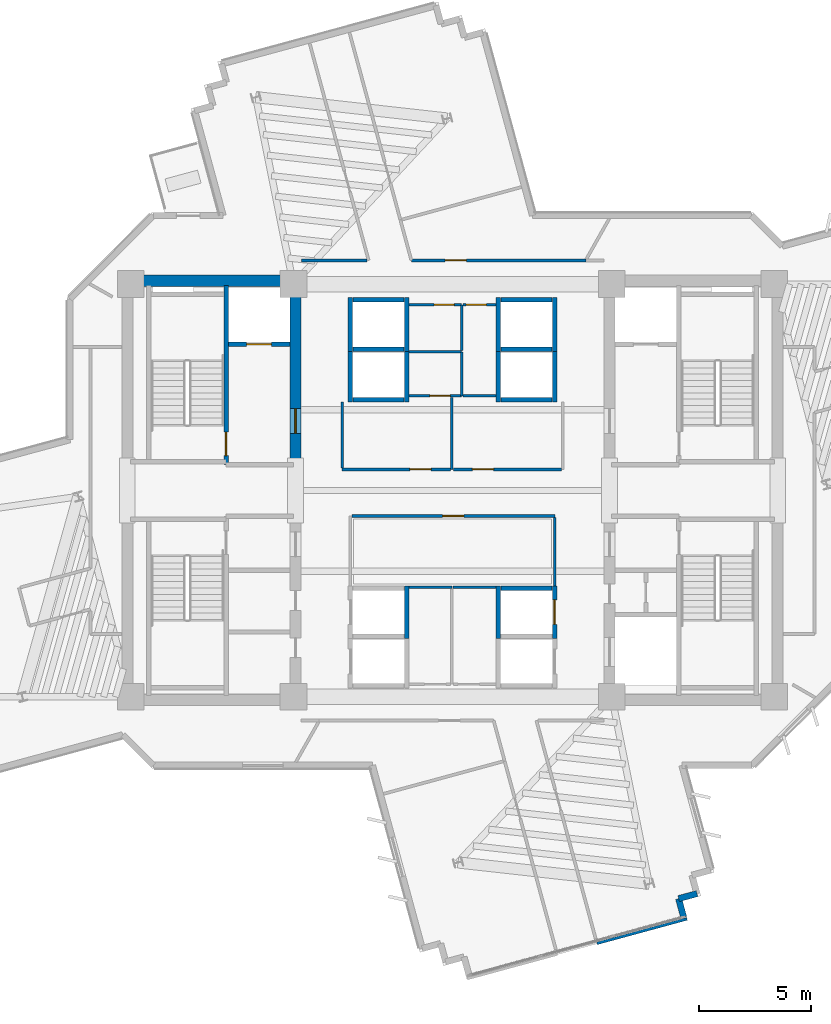
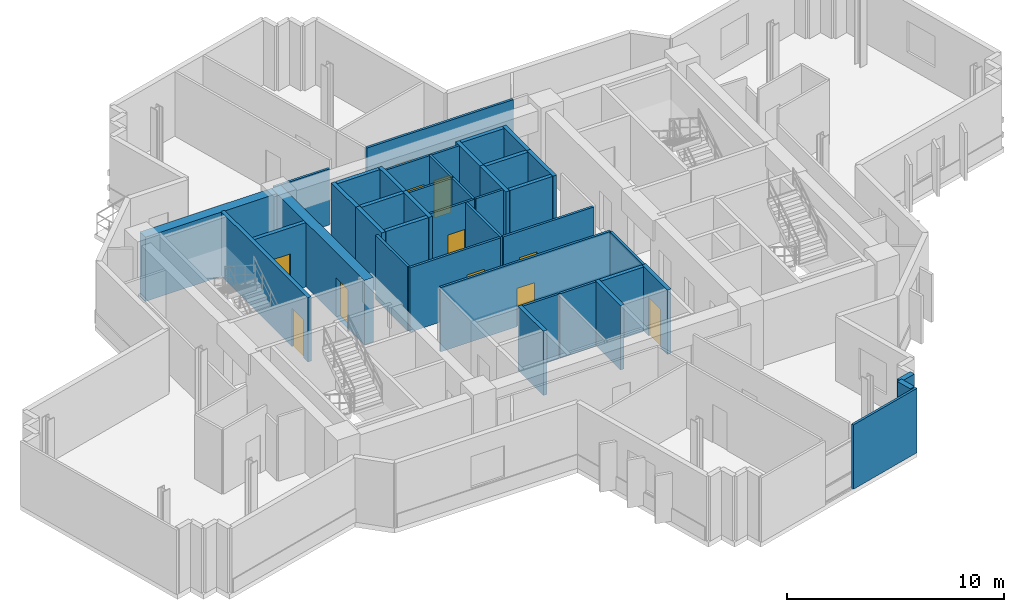
# One storey, part 9 of 15: 42 walls, 11 doors, 11 openings.
"""IFC4 building model written with IfcOpenShell, lengths in metres."""

from ifc_helpers import new_model, si_unit, direction, frame, frame_2d, origin, place, context, subcontext, project, spatial, rectangle, extrude, source, transform, mapped, material, layer, layer_set, type_object, element, fill, save


model = new_model("IFC4")

# Units and contexts
model_context = context("Model", 3, precision=1e-05, world=origin(), true_north=direction((0.0, 1.0)))
body_context = subcontext(model_context, "Body", "Model", "MODEL_VIEW")
ifc_project = project(units=[si_unit("LENGTHUNIT", "METRE"), si_unit("AREAUNIT", "SQUARE_METRE"), si_unit("VOLUMEUNIT", "CUBIC_METRE"), si_unit("PLANEANGLEUNIT", "RADIAN"), si_unit("MASSUNIT", "GRAM", prefix="KILO")], contexts=[model_context])

# Site, building, storey
site_placement = place(None, origin())
site = spatial("IfcSite", under=ifc_project, at=site_placement, CompositionType="ELEMENT")
building_placement = place(site_placement, origin())
building = spatial("IfcBuilding", under=site, at=building_placement, Name="Zahravan Cultural Tower", CompositionType="ELEMENT")
storey_placement = place(building_placement, frame((0.0, 0.0, 194.10009765625)))
storey = spatial("IfcBuildingStorey", under=building, at=storey_placement, Name="L45", CompositionType="ELEMENT", Elevation=194.10009765625)

# Wall, opening, door
ifc_material_1 = material(Name="Concrete C60/75", Category="concrete")
ifc_layer_1 = layer(ifc_material_1, 0.5)
ifc_layer_set_1 = layer_set([ifc_layer_1], Name="Concrete C60/75")
wall_type_1 = type_object("IfcWallType", Name="CW-SHEAR-500-C60", PredefinedType="SHEAR", material=ifc_layer_set_1)
wall_1_placement = place(storey_placement, frame((29.0, 28.050048828125, 0.0), z_axis=(0.0, 0.0, 1.0), x_axis=(0.0, 1.0, 0.0)))
wall_1 = element("IfcWall", 1, at=wall_1_placement, inside=storey, type_object=wall_type_1, Name="L45 Core Shear Wall CW-W-EN-L45", PredefinedType="SHEAR", context=body_context, shape_type="SweptSolid", body=[
    extrude(rectangle(XDim=8.550048828125, YDim=0.5, at=frame_2d((4.27490234375, 0.0))), origin(), (0.0, 0.0, 1.0), 3.619873046875),
])
opening_1_placement = place(wall_1_placement, frame((1.5, 0.0, 0.0)))
opening_1 = element("IfcOpeningElement", 2, at=opening_1_placement, cuts=wall_1, Name="Opening D-L45-05", PredefinedType="OPENING", context=body_context, shape_type="SweptSolid", body=[
    extrude(rectangle(XDim=1.10009765625, YDim=2.199951171875, at=frame_2d((0.550048828125, 1.10009765625))), frame((0.0, 0.260009765625, 0.0), z_axis=(0.0, -1.0, 0.0), x_axis=(1.0, 0.0, 0.0)), (0.0, 0.0, 1.0), 0.52001953125),
])
ifc_material_2 = material(Name="Steel ASTM A572 Grade 50", Category="steel")
door_type_1 = type_object("IfcDoorType", Name="DR-LOBBY-1100", OperationType="NOTDEFINED", PredefinedType="DOOR", material=ifc_material_2)
shared_shape_1 = source(origin(), body_context, "Body", "SweptSolid", [
    extrude(rectangle(XDim=1.10009765625, YDim=2.199951171875, at=frame_2d((0.550048828125, 1.10009765625))), frame((0.0, 0.02490234375, 0.0), z_axis=(0.0, -1.0, 0.0), x_axis=(1.0, 0.0, 0.0)), (0.0, 0.0, 1.0), 0.050048828125),
])
door_1_placement = place(opening_1_placement, origin())
door_1 = element("IfcDoor", 3, at=door_1_placement, inside=storey, type_object=door_type_1, Name="L45 Door D-L45-05", OperationType="SINGLE_SWING_LEFT", OverallHeight=2.199951171875, OverallWidth=1.10009765625, PredefinedType="DOOR", context=body_context, shape_type="MappedRepresentation", body=[
    mapped(shared_shape_1, transform((0.0, 0.0, 0.0), x_axis=(1.0, 0.0, 0.0), y_axis=(0.0, 1.0, 0.0), z_axis=(0.0, 0.0, 1.0), scale=1.0)),
])
fill(opening_1, door_1)

ifc_material_3 = material(Name="Gypsum plasterboard partition")
ifc_layer_2 = layer(ifc_material_3, 0.125)
ifc_layer_set_2 = layer_set([ifc_layer_2], Name="Gypsum plasterboard partition")
wall_type_2 = type_object("IfcWallType", Name="W-PART-125", PredefinedType="PARTITIONING", material=ifc_layer_set_2)
wall_2_placement = place(storey_placement, frame((35.902587890625, 27.93994140625, 0.0), z_axis=(0.0, 0.0, 1.0), x_axis=(-1.0, 0.0, 0.0)))
wall_2 = element("IfcWall", 4, at=wall_2_placement, inside=storey, type_object=wall_type_2, Name="L45 Interior Wall 069", PredefinedType="PARTITIONING", context=body_context, shape_type="SweptSolid", body=[
    extrude(rectangle(XDim=4.822509765625, YDim=0.125, at=frame_2d((2.4111328125, 0.0))), origin(), (0.0, 0.0, 1.0), 3.619873046875),
])
opening_2_placement = place(wall_2_placement, frame((0.85205078125, 0.0, 0.0)))
opening_2 = element("IfcOpeningElement", 5, at=opening_2_placement, cuts=wall_2, Name="Opening D-L45-16", PredefinedType="OPENING", context=body_context, shape_type="SweptSolid", body=[
    extrude(rectangle(XDim=0.949951171875, YDim=2.14990234375, at=frame_2d((0.47509765625, 1.074951171875))), frame((0.0, 0.072509765625, 0.0), z_axis=(0.0, -1.0, 0.0), x_axis=(1.0, 0.0, 0.0)), (0.0, 0.0, 1.0), 0.14501953125),
])
ifc_material_4 = material(Name="Anodised bronze-aluminium mullion", Category="aluminium")
door_type_2 = type_object("IfcDoorType", Name="DR-ROOM-950", OperationType="NOTDEFINED", PredefinedType="DOOR", material=ifc_material_4)
shared_shape_2 = source(origin(), body_context, "Body", "SweptSolid", [
    extrude(rectangle(XDim=0.949951171875, YDim=2.14990234375, at=frame_2d((0.47509765625, 1.074951171875))), frame((0.0, 0.02490234375, 0.0), z_axis=(0.0, -1.0, 0.0), x_axis=(1.0, 0.0, 0.0)), (0.0, 0.0, 1.0), 0.050048828125),
])
door_2_placement = place(opening_2_placement, origin())
door_2 = element("IfcDoor", 6, at=door_2_placement, inside=storey, type_object=door_type_2, Name="L45 Door D-L45-16", OperationType="SINGLE_SWING_RIGHT", OverallHeight=2.14990234375, OverallWidth=0.949951171875, PredefinedType="DOOR", context=body_context, shape_type="MappedRepresentation", body=[
    mapped(shared_shape_2, transform((0.0, 0.0, 0.0), x_axis=(1.0, 0.0, 0.0), y_axis=(0.0, 1.0, 0.0), z_axis=(0.0, 0.0, 1.0), scale=1.0)),
])
fill(opening_2, door_2)

wall_3_placement = place(storey_placement, frame((40.8525390625, 27.93994140625, 0.0), z_axis=(0.0, 0.0, 1.0), x_axis=(-1.0, 0.0, 0.0)))
wall_3 = element("IfcWall", 7, at=wall_3_placement, inside=storey, type_object=wall_type_2, Name="L45 Interior Wall 072", PredefinedType="PARTITIONING", context=body_context, shape_type="SweptSolid", body=[
    extrude(rectangle(XDim=4.81494140625, YDim=0.125, at=frame_2d((2.407470703125, 0.0))), origin(), (0.0, 0.0, 1.0), 3.619873046875),
])
opening_3_placement = place(wall_3_placement, frame((3.0146484375, 0.0, 0.0)))
opening_3 = element("IfcOpeningElement", 8, at=opening_3_placement, cuts=wall_3, Name="Opening D-L45-17", PredefinedType="OPENING", context=body_context, shape_type="SweptSolid", body=[
    extrude(rectangle(XDim=0.949951171875, YDim=2.14990234375, at=frame_2d((0.47509765625, 1.074951171875))), frame((0.0, 0.072509765625, 0.0), z_axis=(0.0, -1.0, 0.0), x_axis=(1.0, 0.0, 0.0)), (0.0, 0.0, 1.0), 0.14501953125),
])
door_3_placement = place(opening_3_placement, origin())
door_3 = element("IfcDoor", 9, at=door_3_placement, inside=storey, type_object=door_type_2, Name="L45 Door D-L45-17", OperationType="SINGLE_SWING_LEFT", OverallHeight=2.14990234375, OverallWidth=0.949951171875, PredefinedType="DOOR", context=body_context, shape_type="MappedRepresentation", body=[
    mapped(shared_shape_2, transform((0.0, 0.0, 0.0), x_axis=(1.0, 0.0, 0.0), y_axis=(0.0, 1.0, 0.0), z_axis=(0.0, 0.0, 1.0), scale=1.0)),
])
fill(opening_3, door_3)

wall_4_placement = place(storey_placement, frame((41.955322265625, 37.260009765625, 0.0), z_axis=(0.0, 0.0, 1.0), x_axis=(-1.0, 0.0, 0.0)))
wall_4 = element("IfcWall", 10, at=wall_4_placement, inside=storey, type_object=wall_type_2, Name="L45 Interior Wall 073", PredefinedType="PARTITIONING", context=body_context, shape_type="SweptSolid", body=[
    extrude(rectangle(XDim=7.78955078125, YDim=0.125, at=frame_2d((3.894775390625, 0.0))), origin(), (0.0, 0.0, 1.0), 3.619873046875),
])
opening_4_placement = place(wall_4_placement, frame((5.3349609375, 0.0, 0.0)))
opening_4 = element("IfcOpeningElement", 11, at=opening_4_placement, cuts=wall_4, Name="Opening D-L45-21", PredefinedType="OPENING", context=body_context, shape_type="SweptSolid", body=[
    extrude(rectangle(XDim=0.949951171875, YDim=2.14990234375, at=frame_2d((0.47509765625, 1.074951171875))), frame((0.0, 0.072509765625, 0.0), z_axis=(0.0, -1.0, 0.0), x_axis=(1.0, 0.0, 0.0)), (0.0, 0.0, 1.0), 0.14501953125),
])
door_4_placement = place(opening_4_placement, origin())
door_4 = element("IfcDoor", 12, at=door_4_placement, inside=storey, type_object=door_type_2, Name="L45 Door D-L45-21", OperationType="SINGLE_SWING_LEFT", OverallHeight=2.14990234375, OverallWidth=0.949951171875, PredefinedType="DOOR", context=body_context, shape_type="MappedRepresentation", body=[
    mapped(shared_shape_2, transform((0.0, 0.0, 0.0), x_axis=(1.0, 0.0, 0.0), y_axis=(0.0, 1.0, 0.0), z_axis=(0.0, 0.0, 1.0), scale=1.0)),
])
fill(opening_4, door_4)

wall_5_placement = place(storey_placement, frame((31.507568359375, 25.860107421875, 0.0), z_axis=(0.0, 0.0, 1.0), x_axis=(1.0, 0.0, 0.0)))
wall_5 = element("IfcWall", 13, at=wall_5_placement, inside=storey, type_object=wall_type_2, Name="L45 Interior Wall 082", PredefinedType="PARTITIONING", context=body_context, shape_type="SweptSolid", body=[
    extrude(rectangle(XDim=9.052490234375, YDim=0.125, at=frame_2d((4.5263671875, 0.0))), origin(), (0.0, 0.0, 1.0), 3.619873046875),
])
opening_5_placement = place(wall_5_placement, frame((4.05126953125, 0.0, 0.0)))
opening_5 = element("IfcOpeningElement", 14, at=opening_5_placement, cuts=wall_5, Name="Opening D-L45-13", PredefinedType="OPENING", context=body_context, shape_type="SweptSolid", body=[
    extrude(rectangle(XDim=0.949951171875, YDim=2.14990234375, at=frame_2d((0.47509765625, 1.074951171875))), frame((0.0, 0.072509765625, 0.0), z_axis=(0.0, -1.0, 0.0), x_axis=(1.0, 0.0, 0.0)), (0.0, 0.0, 1.0), 0.14501953125),
])
door_5_placement = place(opening_5_placement, origin())
door_5 = element("IfcDoor", 15, at=door_5_placement, inside=storey, type_object=door_type_2, Name="L45 Door D-L45-13", OperationType="SINGLE_SWING_LEFT", OverallHeight=2.14990234375, OverallWidth=0.949951171875, PredefinedType="DOOR", context=body_context, shape_type="MappedRepresentation", body=[
    mapped(shared_shape_2, transform((0.0, 0.0, 0.0), x_axis=(1.0, 0.0, 0.0), y_axis=(0.0, 1.0, 0.0), z_axis=(0.0, 0.0, 1.0), scale=1.0)),
])
fill(opening_5, door_5)

ifc_material_5 = material(Name="Concrete C45/55", Category="concrete")
ifc_layer_3 = layer(ifc_material_5, 0.199951171875)
ifc_layer_set_3 = layer_set([ifc_layer_3], Name="Concrete C45/55")
wall_type_3 = type_object("IfcWallType", Name="W-SHAFT-200", PredefinedType="SOLIDWALL", material=ifc_layer_set_3)
wall_6_placement = place(storey_placement, frame((25.89990234375, 28.14990234375, 0.0), z_axis=(0.0, 0.0, 1.0), x_axis=(0.0, 1.0, 0.0)))
wall_6 = element("IfcWall", 16, at=wall_6_placement, inside=storey, type_object=wall_type_3, Name="L45 Interior Wall 006", PredefinedType="SOLIDWALL", context=body_context, shape_type="SweptSolid", body=[
    extrude(rectangle(XDim=8.0, YDim=0.199951171875, at=frame_2d((4.0, 0.0))), origin(), (0.0, 0.0, 1.0), 3.619873046875),
])
opening_6_placement = place(wall_6_placement, frame((0.39990234375, 0.0, 0.0)))
opening_6 = element("IfcOpeningElement", 17, at=opening_6_placement, cuts=wall_6, Name="Opening D-L45-01", PredefinedType="OPENING", context=body_context, shape_type="SweptSolid", body=[
    extrude(rectangle(XDim=1.050048828125, YDim=2.14990234375, at=frame_2d((0.52490234375, 1.074951171875))), frame((0.0, 0.10986328125, 0.0), z_axis=(0.0, -1.0, 0.0), x_axis=(1.0, 0.0, 0.0)), (0.0, 0.0, 1.0), 0.219970703125),
])
door_type_3 = type_object("IfcDoorType", Name="DR-STAIR-1050", OperationType="NOTDEFINED", PredefinedType="DOOR", material=ifc_material_2)
shared_shape_3 = source(origin(), body_context, "Body", "SweptSolid", [
    extrude(rectangle(XDim=1.050048828125, YDim=2.14990234375, at=frame_2d((0.52490234375, 1.074951171875))), frame((0.0, 0.02490234375, 0.0), z_axis=(0.0, -1.0, 0.0), x_axis=(1.0, 0.0, 0.0)), (0.0, 0.0, 1.0), 0.050048828125),
])
door_6_placement = place(opening_6_placement, origin())
door_6 = element("IfcDoor", 18, at=door_6_placement, inside=storey, type_object=door_type_3, Name="L45 Door D-L45-01", OperationType="SINGLE_SWING_LEFT", OverallHeight=2.14990234375, OverallWidth=1.050048828125, PredefinedType="DOOR", context=body_context, shape_type="MappedRepresentation", body=[
    mapped(shared_shape_3, transform((0.0, 0.0, 0.0), x_axis=(1.0, 0.0, 0.0), y_axis=(0.0, 1.0, 0.0), z_axis=(0.0, 0.0, 1.0), scale=1.0)),
])
fill(opening_6, door_6)

wall_7_placement = place(storey_placement, frame((26.0, 33.52001953125, 0.0), z_axis=(0.0, 0.0, 1.0), x_axis=(1.0, 0.0, 0.0)))
wall_7 = element("IfcWall", 19, at=wall_7_placement, inside=storey, type_object=wall_type_3, Name="L45 Interior Wall 021", PredefinedType="SOLIDWALL", context=body_context, shape_type="SweptSolid", body=[
    extrude(rectangle(XDim=2.75, YDim=0.199951171875, at=frame_2d((1.375, 0.0))), origin(), (0.0, 0.0, 1.0), 3.619873046875),
])
opening_7_placement = place(wall_7_placement, frame((0.820068359375, 0.0, 0.0)))
opening_7 = element("IfcOpeningElement", 20, at=opening_7_placement, cuts=wall_7, Name="Opening LD-L45-01", PredefinedType="OPENING", context=body_context, shape_type="SweptSolid", body=[
    extrude(rectangle(XDim=1.10009765625, YDim=2.14990234375, at=frame_2d((0.550048828125, 1.074951171875))), frame((0.0, 0.10986328125, 0.0), z_axis=(0.0, -1.0, 0.0), x_axis=(1.0, 0.0, 0.0)), (0.0, 0.0, 1.0), 0.219970703125),
])
door_type_4 = type_object("IfcDoorType", Name="DR-LIFT-1100", OperationType="DOUBLE_DOOR_SLIDING", PredefinedType="DOOR", material=ifc_material_2)
shared_shape_4 = source(origin(), body_context, "Body", "SweptSolid", [
    extrude(rectangle(XDim=1.10009765625, YDim=2.14990234375, at=frame_2d((0.550048828125, 1.074951171875))), frame((0.0, 0.02490234375, 0.0), z_axis=(0.0, -1.0, 0.0), x_axis=(1.0, 0.0, 0.0)), (0.0, 0.0, 1.0), 0.050048828125),
])
door_7_placement = place(opening_7_placement, origin())
door_7 = element("IfcDoor", 21, at=door_7_placement, inside=storey, type_object=door_type_4, Name="L45 Door LD-L45-01", OperationType="DOUBLE_DOOR_SLIDING", OverallHeight=2.14990234375, OverallWidth=1.10009765625, PredefinedType="DOOR", context=body_context, shape_type="MappedRepresentation", body=[
    mapped(shared_shape_4, transform((0.0, 0.0, 0.0), x_axis=(1.0, 0.0, 0.0), y_axis=(0.0, 1.0, 0.0), z_axis=(0.0, 0.0, 1.0), scale=1.0)),
])
fill(opening_7, door_7)

wall_8_placement = place(storey_placement, frame((40.550048828125, 20.39990234375, 0.0), z_axis=(0.0, 0.0, 1.0), x_axis=(0.0, 1.0, 0.0)))
wall_8 = element("IfcWall", 22, at=wall_8_placement, inside=storey, type_object=wall_type_3, Name="L45 Interior Wall 050", PredefinedType="SOLIDWALL", context=body_context, shape_type="SweptSolid", body=[
    extrude(rectangle(XDim=2.35009765625, YDim=0.199951171875, at=frame_2d((1.175048828125, 0.0))), origin(), (0.0, 0.0, 1.0), 3.619873046875),
])
opening_8_placement = place(wall_8_placement, frame((0.625, 0.0, 0.0)))
opening_8 = element("IfcOpeningElement", 23, at=opening_8_placement, cuts=wall_8, Name="Opening LD-L45-06", PredefinedType="OPENING", context=body_context, shape_type="SweptSolid", body=[
    extrude(rectangle(XDim=1.10009765625, YDim=2.14990234375, at=frame_2d((0.550048828125, 1.074951171875))), frame((0.0, 0.10986328125, 0.0), z_axis=(0.0, -1.0, 0.0), x_axis=(1.0, 0.0, 0.0)), (0.0, 0.0, 1.0), 0.219970703125),
])
door_8_placement = place(opening_8_placement, origin())
door_8 = element("IfcDoor", 24, at=door_8_placement, inside=storey, type_object=door_type_4, Name="L45 Door LD-L45-06", OperationType="DOUBLE_DOOR_SLIDING", OverallHeight=2.14990234375, OverallWidth=1.10009765625, PredefinedType="DOOR", context=body_context, shape_type="MappedRepresentation", body=[
    mapped(shared_shape_4, transform((0.0, 0.0, 0.0), x_axis=(1.0, 0.0, 0.0), y_axis=(0.0, 1.0, 0.0), z_axis=(0.0, 0.0, 1.0), scale=1.0)),
])
fill(opening_8, door_8)

ifc_layer_4 = layer(ifc_material_3, 0.114990234375)
ifc_layer_set_4 = layer_set([ifc_layer_4], Name="Gypsum plasterboard partition")
wall_type_4 = type_object("IfcWallType", Name="W-WC-115", PredefinedType="PARTITIONING", material=ifc_layer_set_4)
wall_9_placement = place(storey_placement, frame((36.409912109375, 31.219970703125, 0.0), z_axis=(0.0, 0.0, 1.0), x_axis=(-1.0, 0.0, 0.0)))
wall_9 = element("IfcWall", 25, at=wall_9_placement, inside=storey, type_object=wall_type_4, Name="L45 Interior Wall 056", PredefinedType="PARTITIONING", context=body_context, shape_type="SweptSolid", body=[
    extrude(rectangle(XDim=2.35498046875, YDim=0.114990234375, at=frame_2d((1.177490234375, 0.0))), origin(), (0.0, 0.0, 1.0), 3.619873046875),
])
opening_9_placement = place(wall_9_placement, frame((0.5166015625, 0.0, 0.0)))
opening_9 = element("IfcOpeningElement", 26, at=opening_9_placement, cuts=wall_9, Name="Opening D-L45-28", PredefinedType="OPENING", context=body_context, shape_type="SweptSolid", body=[
    extrude(rectangle(XDim=0.89990234375, YDim=2.10009765625, at=frame_2d((0.449951171875, 1.050048828125))), frame((0.0, 0.0673828125, 0.0), z_axis=(0.0, -1.0, 0.0), x_axis=(1.0, 0.0, 0.0)), (0.0, 0.0, 1.0), 0.135009765625),
])
door_type_5 = type_object("IfcDoorType", Name="DR-WC-900", OperationType="NOTDEFINED", PredefinedType="DOOR", material=ifc_material_4)
shared_shape_5 = source(origin(), body_context, "Body", "SweptSolid", [
    extrude(rectangle(XDim=0.89990234375, YDim=2.10009765625, at=frame_2d((0.449951171875, 1.050048828125))), frame((0.0, 0.02490234375, 0.0), z_axis=(0.0, -1.0, 0.0), x_axis=(1.0, 0.0, 0.0)), (0.0, 0.0, 1.0), 0.050048828125),
])
door_9_placement = place(opening_9_placement, origin())
door_9 = element("IfcDoor", 27, at=door_9_placement, inside=storey, type_object=door_type_5, Name="L45 Door D-L45-28", OperationType="SINGLE_SWING_RIGHT", OverallHeight=2.10009765625, OverallWidth=0.89990234375, PredefinedType="DOOR", context=body_context, shape_type="MappedRepresentation", body=[
    mapped(shared_shape_5, transform((0.0, 0.0, 0.0), x_axis=(1.0, 0.0, 0.0), y_axis=(0.0, 1.0, 0.0), z_axis=(0.0, 0.0, 1.0), scale=1.0)),
])
fill(opening_9, door_9)

wall_10_placement = place(storey_placement, frame((34.054931640625, 35.280029296875, 0.0), z_axis=(0.0, 0.0, 1.0), x_axis=(1.0, 0.0, 0.0)))
wall_10 = element("IfcWall", 28, at=wall_10_placement, inside=storey, type_object=wall_type_4, Name="L45 Interior Wall 059", PredefinedType="PARTITIONING", context=body_context, shape_type="SweptSolid", body=[
    extrude(rectangle(XDim=2.35498046875, YDim=0.114990234375, at=frame_2d((1.177490234375, 0.0))), origin(), (0.0, 0.0, 1.0), 3.619873046875),
])
opening_10_placement = place(wall_10_placement, frame((1.120849609375, 0.0, 0.0)))
opening_10 = element("IfcOpeningElement", 29, at=opening_10_placement, cuts=wall_10, Name="Opening D-L45-14", PredefinedType="OPENING", context=body_context, shape_type="SweptSolid", body=[
    extrude(rectangle(XDim=0.89990234375, YDim=2.10009765625, at=frame_2d((0.449951171875, 1.050048828125))), frame((0.0, 0.0673828125, 0.0), z_axis=(0.0, -1.0, 0.0), x_axis=(1.0, 0.0, 0.0)), (0.0, 0.0, 1.0), 0.135009765625),
])
door_10_placement = place(opening_10_placement, origin())
door_10 = element("IfcDoor", 30, at=door_10_placement, inside=storey, type_object=door_type_5, Name="L45 Door D-L45-14", OperationType="SINGLE_SWING_RIGHT", OverallHeight=2.10009765625, OverallWidth=0.89990234375, PredefinedType="DOOR", context=body_context, shape_type="MappedRepresentation", body=[
    mapped(shared_shape_5, transform((0.0, 0.0, 0.0), x_axis=(1.0, 0.0, 0.0), y_axis=(0.0, 1.0, 0.0), z_axis=(0.0, 0.0, 1.0), scale=1.0)),
])
fill(opening_10, door_10)

wall_11_placement = place(storey_placement, frame((36.472412109375, 35.280029296875, 0.0), z_axis=(0.0, 0.0, 1.0), x_axis=(1.0, 0.0, 0.0)))
wall_11 = element("IfcWall", 31, at=wall_11_placement, inside=storey, type_object=wall_type_4, Name="L45 Interior Wall 062", PredefinedType="PARTITIONING", context=body_context, shape_type="SweptSolid", body=[
    extrude(rectangle(XDim=1.47265625, YDim=0.114990234375, at=frame_2d((0.736328125, 0.0))), origin(), (0.0, 0.0, 1.0), 3.619873046875),
])
opening_11_placement = place(wall_11_placement, frame((0.139892578125, 0.0, 0.0)))
opening_11 = element("IfcOpeningElement", 32, at=opening_11_placement, cuts=wall_11, Name="Opening D-L45-15", PredefinedType="OPENING", context=body_context, shape_type="SweptSolid", body=[
    extrude(rectangle(XDim=0.89990234375, YDim=2.10009765625, at=frame_2d((0.449951171875, 1.050048828125))), frame((0.0, 0.0673828125, 0.0), z_axis=(0.0, -1.0, 0.0), x_axis=(1.0, 0.0, 0.0)), (0.0, 0.0, 1.0), 0.135009765625),
])
door_11_placement = place(opening_11_placement, origin())
door_11 = element("IfcDoor", 33, at=door_11_placement, inside=storey, type_object=door_type_5, Name="L45 Door D-L45-15", OperationType="SINGLE_SWING_LEFT", OverallHeight=2.10009765625, OverallWidth=0.89990234375, PredefinedType="DOOR", context=body_context, shape_type="MappedRepresentation", body=[
    mapped(shared_shape_5, transform((0.0, 0.0, 0.0), x_axis=(1.0, 0.0, 0.0), y_axis=(0.0, 1.0, 0.0), z_axis=(0.0, 0.0, 1.0), scale=1.0)),
])
fill(opening_11, door_11)

# Walls
shared_shape_6 = source(origin(), body_context, "Body", "SweptSolid", [
    extrude(rectangle(XDim=7.0, YDim=0.5, at=frame_2d((3.5, 0.0))), origin(), (0.0, 0.0, 1.0), 3.619873046875),
])
wall_12_placement = place(storey_placement, frame((21.75, 36.35009765625, 0.0), z_axis=(0.0, 0.0, 1.0), x_axis=(1.0, 0.0, 0.0)))
element("IfcWall", 34, at=wall_12_placement, inside=storey, type_object=wall_type_1, Name="L45 Core Shear Wall CW-W-N-L45", PredefinedType="SHEAR", context=body_context, shape_type="MappedRepresentation", body=[
    mapped(shared_shape_6, transform((0.0, 0.0, 0.0), x_axis=(1.0, 0.0, 0.0), y_axis=(0.0, 1.0, 0.0), z_axis=(0.0, 0.0, 1.0), scale=1.0)),
])
ifc_material_6 = material(Name="Precast concrete C40/50", Category="concrete")
ifc_layer_5 = layer(ifc_material_6, 0.280029296875)
ifc_layer_set_5 = layer_set([ifc_layer_5], Name="Precast concrete C40/50")
wall_type_5 = type_object("IfcWallType", Name="EW-TC-280", PredefinedType="SOLIDWALL", material=ifc_layer_set_5)
shared_shape_7 = source(origin(), body_context, "Body", "SweptSolid", [
    extrude(rectangle(XDim=0.85009765625, YDim=0.280029296875, at=frame_2d((0.425048828125, 0.0))), origin(), (0.0, 0.0, 1.0), 3.619873046875),
])
for number, where, z_axis, x_axis, name in (
    (35, (46.905517578125, 9.020263671875, 0.0), (0.0, 0.0, 1.0), (-0.965081274591, -0.261950631675, 0.0), "L45 Exterior Masonry Frame Wall 18"),
    (36, (46.085205078125, 8.797607421875, 0.0), (0.0, 0.0, 1.0), (0.262218119094, -0.965008631059, 0.0), "L45 Exterior Masonry Frame Wall 19"),
):
    element("IfcWall", number, at=place(storey_placement, frame(where, z_axis=z_axis, x_axis=x_axis)), inside=storey, type_object=wall_type_5, Name=name, PredefinedType="SOLIDWALL", context=body_context, shape_type="MappedRepresentation", body=[
        mapped(shared_shape_7, transform((0.0, 0.0, 0.0), x_axis=(1.0, 0.0, 0.0), y_axis=(0.0, 1.0, 0.0), z_axis=(0.0, 0.0, 1.0), scale=1.0)),
    ])
shared_shape_8 = source(origin(), body_context, "Body", "SweptSolid", [
    extrude(rectangle(XDim=2.400146484375, YDim=0.199951171875, at=frame_2d((1.2001953125, 0.0))), origin(), (0.0, 0.0, 1.0), 3.619873046875),
])
for number, where, z_axis, x_axis, name in (
    (37, (31.449951171875, 33.199951171875, 0.0), (0.0, 0.0, 1.0), (0.0, 1.0, 0.0), "L45 Interior Wall 028"),
    (38, (33.949951171875, 33.199951171875, 0.0), (0.0, 0.0, 1.0), (0.0, 1.0, 0.0), "L45 Interior Wall 029"),
    (39, (31.449951171875, 30.949951171875, 0.0), (0.0, 0.0, 1.0), (0.0, 1.0, 0.0), "L45 Interior Wall 032"),
    (40, (33.949951171875, 30.949951171875, 0.0), (0.0, 0.0, 1.0), (0.0, 1.0, 0.0), "L45 Interior Wall 033"),
    (41, (38.050048828125, 33.199951171875, 0.0), (0.0, 0.0, 1.0), (0.0, 1.0, 0.0), "L45 Interior Wall 035"),
    (42, (40.550048828125, 33.199951171875, 0.0), (0.0, 0.0, 1.0), (0.0, 1.0, 0.0), "L45 Interior Wall 036"),
    (43, (38.050048828125, 30.949951171875, 0.0), (0.0, 0.0, 1.0), (0.0, 1.0, 0.0), "L45 Interior Wall 039"),
    (44, (40.550048828125, 30.949951171875, 0.0), (0.0, 0.0, 1.0), (0.0, 1.0, 0.0), "L45 Interior Wall 040"),
):
    element("IfcWall", number, at=place(storey_placement, frame(where, z_axis=z_axis, x_axis=x_axis)), inside=storey, type_object=wall_type_3, Name=name, PredefinedType="SOLIDWALL", context=body_context, shape_type="MappedRepresentation", body=[
        mapped(shared_shape_8, transform((0.0, 0.0, 0.0), x_axis=(1.0, 0.0, 0.0), y_axis=(0.0, 1.0, 0.0), z_axis=(0.0, 0.0, 1.0), scale=1.0)),
    ])
shared_shape_9 = source(origin(), body_context, "Body", "SweptSolid", [
    extrude(rectangle(XDim=2.260009765625, YDim=0.199951171875, at=frame_2d((1.1298828125, 0.0))), origin(), (0.0, 0.0, 1.0), 3.619873046875),
])
for number, where, z_axis, x_axis, name in (
    (45, (31.570068359375, 33.300048828125, 0.0), (0.0, 0.0, 1.0), (1.0, 0.0, 0.0), "L45 Interior Wall 030"),
    (46, (31.570068359375, 35.5, 0.0), (0.0, 0.0, 1.0), (1.0, 0.0, 0.0), "L45 Interior Wall 031"),
    (47, (31.570068359375, 31.050048828125, 0.0), (0.0, 0.0, 1.0), (1.0, 0.0, 0.0), "L45 Interior Wall 034"),
    (48, (38.169921875, 33.300048828125, 0.0), (0.0, 0.0, 1.0), (1.0, 0.0, 0.0), "L45 Interior Wall 037"),
    (49, (38.169921875, 35.5, 0.0), (0.0, 0.0, 1.0), (1.0, 0.0, 0.0), "L45 Interior Wall 038"),
    (50, (38.169921875, 31.050048828125, 0.0), (0.0, 0.0, 1.0), (1.0, 0.0, 0.0), "L45 Interior Wall 041"),
    (51, (38.169921875, 22.64990234375, 0.0), (0.0, 0.0, 1.0), (1.0, 0.0, 0.0), "L45 Interior Wall 052"),
):
    element("IfcWall", number, at=place(storey_placement, frame(where, z_axis=z_axis, x_axis=x_axis)), inside=storey, type_object=wall_type_3, Name=name, PredefinedType="SOLIDWALL", context=body_context, shape_type="MappedRepresentation", body=[
        mapped(shared_shape_9, transform((0.0, 0.0, 0.0), x_axis=(1.0, 0.0, 0.0), y_axis=(0.0, 1.0, 0.0), z_axis=(0.0, 0.0, 1.0), scale=1.0)),
    ])
shared_shape_10 = source(origin(), body_context, "Body", "SweptSolid", [
    extrude(rectangle(XDim=2.35009765625, YDim=0.199951171875, at=frame_2d((1.175048828125, 0.0))), origin(), (0.0, 0.0, 1.0), 3.619873046875),
])
for number, where, z_axis, x_axis, name in (
    (52, (33.949951171875, 20.39990234375, 0.0), (0.0, 0.0, 1.0), (0.0, 1.0, 0.0), "L45 Interior Wall 043"),
    (53, (38.050048828125, 20.39990234375, 0.0), (0.0, 0.0, 1.0), (0.0, 1.0, 0.0), "L45 Interior Wall 049"),
):
    element("IfcWall", number, at=place(storey_placement, frame(where, z_axis=z_axis, x_axis=x_axis)), inside=storey, type_object=wall_type_3, Name=name, PredefinedType="SOLIDWALL", context=body_context, shape_type="MappedRepresentation", body=[
        mapped(shared_shape_10, transform((0.0, 0.0, 0.0), x_axis=(1.0, 0.0, 0.0), y_axis=(0.0, 1.0, 0.0), z_axis=(0.0, 0.0, 1.0), scale=1.0)),
    ])
shared_shape_11 = source(origin(), body_context, "Body", "SweptSolid", [
    extrude(rectangle(XDim=1.9599609375, YDim=0.114990234375, at=frame_2d((0.97998046875, 0.0))), origin(), (0.0, 0.0, 1.0), 3.619873046875),
])
wall_13_placement = place(storey_placement, frame((36.409912109375, 33.179931640625, 0.0), z_axis=(0.0, 0.0, 1.0), x_axis=(0.0, -1.0, 0.0)))
element("IfcWall", 54, at=wall_13_placement, inside=storey, type_object=wall_type_4, Name="L45 Interior Wall 058", PredefinedType="PARTITIONING", context=body_context, shape_type="MappedRepresentation", body=[
    mapped(shared_shape_11, transform((0.0, 0.0, 0.0), x_axis=(1.0, 0.0, 0.0), y_axis=(0.0, 1.0, 0.0), z_axis=(0.0, 0.0, 1.0), scale=1.0)),
])
shared_shape_12 = source(origin(), body_context, "Body", "SweptSolid", [
    extrude(rectangle(XDim=2.0400390625, YDim=0.114990234375, at=frame_2d((1.02001953125, 0.0))), origin(), (0.0, 0.0, 1.0), 3.619873046875),
])
wall_14_placement = place(storey_placement, frame((36.409912109375, 35.280029296875, 0.0), z_axis=(0.0, 0.0, 1.0), x_axis=(0.0, -1.0, 0.0)))
element("IfcWall", 55, at=wall_14_placement, inside=storey, type_object=wall_type_4, Name="L45 Interior Wall 060", PredefinedType="PARTITIONING", context=body_context, shape_type="MappedRepresentation", body=[
    mapped(shared_shape_12, transform((0.0, 0.0, 0.0), x_axis=(1.0, 0.0, 0.0), y_axis=(0.0, 1.0, 0.0), z_axis=(0.0, 0.0, 1.0), scale=1.0)),
])
shared_shape_13 = source(origin(), body_context, "Body", "SweptSolid", [
    extrude(rectangle(XDim=1.47265625, YDim=0.114990234375, at=frame_2d((0.736328125, 0.0))), origin(), (0.0, 0.0, 1.0), 3.619873046875),
])
wall_15_placement = place(storey_placement, frame((37.945068359375, 31.219970703125, 0.0), z_axis=(0.0, 0.0, 1.0), x_axis=(-1.0, 0.0, 0.0)))
element("IfcWall", 56, at=wall_15_placement, inside=storey, type_object=wall_type_4, Name="L45 Interior Wall 061", PredefinedType="PARTITIONING", context=body_context, shape_type="MappedRepresentation", body=[
    mapped(shared_shape_13, transform((0.0, 0.0, 0.0), x_axis=(1.0, 0.0, 0.0), y_axis=(0.0, 1.0, 0.0), z_axis=(0.0, 0.0, 1.0), scale=1.0)),
])
shared_shape_14 = source(origin(), body_context, "Body", "SweptSolid", [
    extrude(rectangle(XDim=3.04248046875, YDim=0.125, at=frame_2d((1.521240234375, 0.0))), origin(), (0.0, 0.0, 1.0), 3.619873046875),
])
wall_16_placement = place(storey_placement, frame((40.56005859375, 25.79248046875, 0.0), z_axis=(0.0, 0.0, 1.0), x_axis=(0.0, -1.0, 0.0)))
element("IfcWall", 57, at=wall_16_placement, inside=storey, type_object=wall_type_2, Name="L45 Interior Wall 083", PredefinedType="PARTITIONING", context=body_context, shape_type="MappedRepresentation", body=[
    mapped(shared_shape_14, transform((0.0, 0.0, 0.0), x_axis=(1.0, 0.0, 0.0), y_axis=(0.0, 1.0, 0.0), z_axis=(0.0, 0.0, 1.0), scale=1.0)),
])
shared_shape_15 = source(origin(), body_context, "Body", "SweptSolid", [
    extrude(rectangle(XDim=2.9423828125, YDim=0.125, at=frame_2d((1.47119140625, 0.0))), origin(), (0.0, 0.0, 1.0), 3.619873046875),
])
wall_17_placement = place(storey_placement, frame((31.080078125, 28.007568359375, 0.0), z_axis=(0.0, 0.0, 1.0), x_axis=(0.0, 1.0, 0.0)))
element("IfcWall", 58, at=wall_17_placement, inside=storey, type_object=wall_type_2, Name="L45 Interior Wall 070", PredefinedType="PARTITIONING", context=body_context, shape_type="MappedRepresentation", body=[
    mapped(shared_shape_15, transform((0.0, 0.0, 0.0), x_axis=(1.0, 0.0, 0.0), y_axis=(0.0, 1.0, 0.0), z_axis=(0.0, 0.0, 1.0), scale=1.0)),
])
shared_shape_16 = source(origin(), body_context, "Body", "SweptSolid", [
    extrude(rectangle(XDim=4.159912109375, YDim=0.125, at=frame_2d((2.080078125, 0.0))), origin(), (0.0, 0.0, 1.0), 3.619873046875),
])
wall_18_placement = place(storey_placement, frame((46.455322265625, 7.892822265625, 0.0), z_axis=(0.0, 0.0, 1.0), x_axis=(-0.965023387541, -0.262163806614, 0.0)))
element("IfcWall", 59, at=wall_18_placement, inside=storey, type_object=wall_type_2, Name="L45 Interior Wall 090", PredefinedType="PARTITIONING", context=body_context, shape_type="MappedRepresentation", body=[
    mapped(shared_shape_16, transform((0.0, 0.0, 0.0), x_axis=(1.0, 0.0, 0.0), y_axis=(0.0, 1.0, 0.0), z_axis=(0.0, 0.0, 1.0), scale=1.0)),
])
shared_shape_17 = source(origin(), body_context, "Body", "SweptSolid", [
    extrude(rectangle(XDim=2.35498046875, YDim=0.114990234375, at=frame_2d((1.177490234375, 0.0))), origin(), (0.0, 0.0, 1.0), 3.619873046875),
])
wall_19_placement = place(storey_placement, frame((34.054931640625, 33.179931640625, 0.0), z_axis=(0.0, 0.0, 1.0), x_axis=(1.0, 0.0, 0.0)))
element("IfcWall", 60, at=wall_19_placement, inside=storey, type_object=wall_type_4, Name="L45 Interior Wall 057", PredefinedType="PARTITIONING", context=body_context, shape_type="MappedRepresentation", body=[
    mapped(shared_shape_17, transform((0.0, 0.0, 0.0), x_axis=(1.0, 0.0, 0.0), y_axis=(0.0, 1.0, 0.0), z_axis=(0.0, 0.0, 1.0), scale=1.0)),
])
shared_shape_18 = source(origin(), body_context, "Body", "SweptSolid", [
    extrude(rectangle(XDim=3.199951171875, YDim=0.125, at=frame_2d((1.60009765625, 0.0))), origin(), (0.0, 0.0, 1.0), 3.619873046875),
])
wall_20_placement = place(storey_placement, frame((35.969970703125, 31.139892578125, 0.0), z_axis=(0.0, 0.0, 1.0), x_axis=(0.0, -1.0, 0.0)))
element("IfcWall", 61, at=wall_20_placement, inside=storey, type_object=wall_type_2, Name="L45 Interior Wall 068", PredefinedType="PARTITIONING", context=body_context, shape_type="MappedRepresentation", body=[
    mapped(shared_shape_18, transform((0.0, 0.0, 0.0), x_axis=(1.0, 0.0, 0.0), y_axis=(0.0, 1.0, 0.0), z_axis=(0.0, 0.0, 1.0), scale=1.0)),
])
shared_shape_19 = source(origin(), body_context, "Body", "SweptSolid", [
    extrude(rectangle(XDim=1.9150390625, YDim=0.125, at=frame_2d((0.95751953125, 0.0))), origin(), (0.0, 0.0, 1.0), 3.619873046875),
])
for number, where, z_axis, x_axis, name in (
    (62, (34.054931640625, 22.679931640625, 0.0), (0.0, 0.0, 1.0), (1.0, 0.0, 0.0), "L45 Interior Wall 063"),
    (63, (36.030029296875, 22.679931640625, 0.0), (0.0, 0.0, 1.0), (1.0, 0.0, 0.0), "L45 Interior Wall 066"),
):
    element("IfcWall", number, at=place(storey_placement, frame(where, z_axis=z_axis, x_axis=x_axis)), inside=storey, type_object=wall_type_2, Name=name, PredefinedType="PARTITIONING", context=body_context, shape_type="MappedRepresentation", body=[
        mapped(shared_shape_19, transform((0.0, 0.0, 0.0), x_axis=(1.0, 0.0, 0.0), y_axis=(0.0, 1.0, 0.0), z_axis=(0.0, 0.0, 1.0), scale=1.0)),
    ])
shared_shape_20 = source(origin(), body_context, "Body", "SweptSolid", [
    extrude(rectangle(XDim=2.934326171875, YDim=0.125, at=frame_2d((1.46728515625, 0.0))), origin(), (0.0, 0.0, 1.0), 3.14892578125),
])
wall_21_placement = place(storey_placement, frame((32.189208984375, 37.260009765625, 0.0), z_axis=(0.0, 0.0, 1.0), x_axis=(-0.999999913469, -0.000416007951, 0.0)))
element("IfcWall", 64, at=wall_21_placement, inside=storey, type_object=wall_type_2, Name="L45 Interior Wall 092", PredefinedType="PARTITIONING", context=body_context, shape_type="MappedRepresentation", body=[
    mapped(shared_shape_20, transform((0.0, 0.0, 0.0), x_axis=(1.0, 0.0, 0.0), y_axis=(0.0, 1.0, 0.0), z_axis=(0.0, 0.0, 1.0), scale=1.0)),
])

save(model, "model.ifc")
